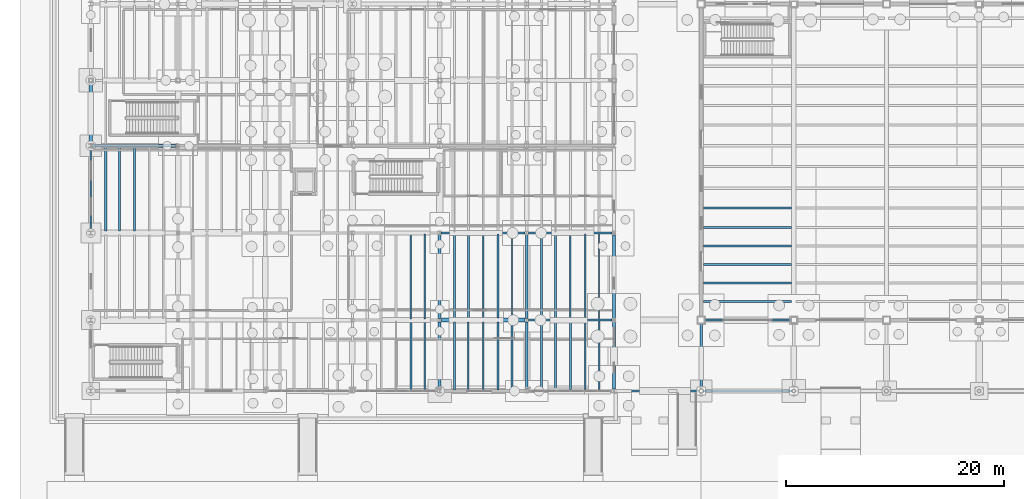
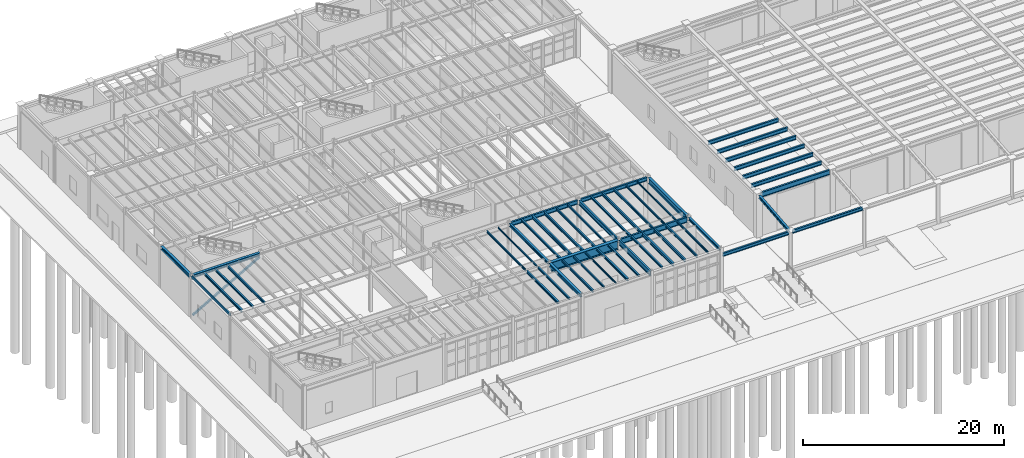
# One storey, part 25 of 86: 50 beams, 1 member.
"""IFC4 building model written with IfcOpenShell, lengths in metres."""

from ifc_helpers import new_model, si_unit, direction, frame, origin, origin_2d, place, context, subcontext, project, spatial, hollow_rectangle, i_section, extrude, material, material_profile, profile_set, type_object, element, save


model = new_model("IFC4")

# Units and contexts
model_context = context("Model", 3, precision=1e-05, world=origin(), true_north=direction((0.0, 1.0)))
body_context = subcontext(model_context, "Body", "Model", "MODEL_VIEW")
ifc_project = project(units=[si_unit("LENGTHUNIT", "METRE"), si_unit("AREAUNIT", "SQUARE_METRE"), si_unit("VOLUMEUNIT", "CUBIC_METRE"), si_unit("PLANEANGLEUNIT", "RADIAN"), si_unit("MASSUNIT", "GRAM", prefix="KILO"), si_unit("THERMODYNAMICTEMPERATUREUNIT", "KELVIN"), si_unit("POWERUNIT", "WATT")], contexts=[model_context])

# Site, building, storey
site_placement = place(None, origin())
site = spatial("IfcSite", under=ifc_project, at=site_placement, CompositionType="ELEMENT")
building_placement = place(site_placement, origin())
building = spatial("IfcBuilding", under=site, at=building_placement, Name="Zhenchuan Central Fire Station", CompositionType="ELEMENT")
storey_placement = place(building_placement, frame((0.0, 0.0, 0.449951171875)))
storey = spatial("IfcBuildingStorey", under=building, at=storey_placement, Name="L01", CompositionType="ELEMENT", Elevation=0.449951171875)

# Beams
ifc_material = material(Name="Steel Q355B", Category="steel")
ifc_material_profile_1 = material_profile(ifc_material, i_section(OverallWidth=0.25, OverallDepth=0.340087890625, WebThickness=0.009033203125, FlangeThickness=0.013916015625, FilletRadius=0.01806640625, at=origin_2d()), Name="HM 340x250")
ifc_profile_set_1 = profile_set([ifc_material_profile_1], Name="Steel Q355B")
beam_type_1 = type_object("IfcBeamType", Name="BM-HM340", PredefinedType="BEAM", material=ifc_profile_set_1)
beam_1_placement = place(storey_placement, frame((32.0, 6.64990234375, 5.030029296875), z_axis=(0.0, 1.0, 0.0), x_axis=(-1.0, 0.0, 0.0)))
element("IfcBeam", 1, at=beam_1_placement, inside=storey, type_object=beam_type_1, Name="L02 Girder NS 0130", PredefinedType="BEAM", context=body_context, shape_type="SweptSolid", body=[
    extrude(i_section(OverallWidth=0.25, OverallDepth=0.340087890625, WebThickness=0.009033203125, FlangeThickness=0.013916015625, FilletRadius=0.01806640625, at=origin_2d()), origin(), (0.0, 0.0, 1.0), 7.7001953125),
])
beam_2_placement = place(storey_placement, frame((48.0, 0.175048828125, 5.030029296875), z_axis=(0.0, 1.0, 0.0), x_axis=(-1.0, 0.0, 0.0)))
element("IfcBeam", 2, at=beam_2_placement, inside=storey, type_object=beam_type_1, Name="L02 Girder NS 0141", PredefinedType="BEAM", context=body_context, shape_type="SweptSolid", body=[
    extrude(i_section(OverallWidth=0.25, OverallDepth=0.340087890625, WebThickness=0.009033203125, FlangeThickness=0.013916015625, FilletRadius=0.01806640625, at=origin_2d()), origin(), (0.0, 0.0, 1.0), 6.14990234375),
])
ifc_material_profile_2 = material_profile(ifc_material, i_section(OverallWidth=0.25, OverallDepth=0.340087890625, WebThickness=0.009033203125, FlangeThickness=0.013916015625, FilletRadius=0.01806640625, at=origin_2d()), Name="HM 340x250")
ifc_profile_set_2 = profile_set([ifc_material_profile_2], Name="Steel Q355B")
beam_type_2 = type_object("IfcBeamType", Name="BM-HM340-EXT", PredefinedType="BEAM", material=ifc_profile_set_2)
beam_3_placement = place(storey_placement, frame((56.0, 0.203125, 4.41015625), z_axis=(0.0, 0.995157696246, 0.098291197994), x_axis=(-1.0, 0.0, 0.0)))
element("IfcBeam", 3, at=beam_3_placement, inside=storey, type_object=beam_type_2, Name="Canopy Sloped Rafter 0530", PredefinedType="BEAM", context=body_context, shape_type="SweptSolid", body=[
    extrude(i_section(OverallWidth=0.25, OverallDepth=0.340087890625, WebThickness=0.009033203125, FlangeThickness=0.013916015625, FilletRadius=0.01806640625, at=origin_2d()), origin(), (0.0, 0.0, 1.0), 6.0009765625),
])
ifc_material_profile_3 = material_profile(ifc_material, i_section(OverallWidth=0.300048828125, OverallDepth=0.389892578125, WebThickness=0.010009765625, FlangeThickness=0.01611328125, FilletRadius=0.02001953125, at=origin_2d()), Name="HM 390x300")
ifc_profile_set_3 = profile_set([ifc_material_profile_3], Name="Steel Q355B")
beam_type_3 = type_object("IfcBeamType", Name="BM-HM390", PredefinedType="BEAM", material=ifc_profile_set_3)
beam_4_placement = place(storey_placement, frame((0.0, 22.675048828125, 4.965087890625), z_axis=(0.0, 1.0, 0.0), x_axis=(-1.0, 0.0, 0.0)))
element("IfcBeam", 4, at=beam_4_placement, inside=storey, type_object=beam_type_3, Name="L02 Girder NS 0107", PredefinedType="BEAM", context=body_context, shape_type="SweptSolid", body=[
    extrude(i_section(OverallWidth=0.300048828125, OverallDepth=0.389892578125, WebThickness=0.010009765625, FlangeThickness=0.01611328125, FilletRadius=0.02001953125, at=origin_2d()), origin(), (0.0, 0.0, 1.0), 5.675048828125),
])
ifc_material_profile_4 = material_profile(ifc_material, i_section(OverallWidth=0.300048828125, OverallDepth=0.389892578125, WebThickness=0.010009765625, FlangeThickness=0.01611328125, FilletRadius=0.02001953125, at=origin_2d()), Name="HM 390x300")
ifc_profile_set_4 = profile_set([ifc_material_profile_4], Name="Steel Q355B")
beam_type_4 = type_object("IfcBeamType", Name="BM-HM390-INT", PredefinedType="BEAM", material=ifc_profile_set_4)
beam_5_placement = place(storey_placement, frame((0.175048828125, 22.5, 4.965087890625), z_axis=(1.0, 0.0, 0.0), x_axis=(0.0, 1.0, 0.0)))
element("IfcBeam", 5, at=beam_5_placement, inside=storey, type_object=beam_type_4, Name="L02 Girder EW 0036", PredefinedType="BEAM", context=body_context, shape_type="SweptSolid", body=[
    extrude(i_section(OverallWidth=0.300048828125, OverallDepth=0.389892578125, WebThickness=0.010009765625, FlangeThickness=0.01611328125, FilletRadius=0.02001953125, at=origin_2d()), origin(), (0.0, 0.0, 1.0), 7.675048828125),
])
beam_6_placement = place(storey_placement, frame((32.0, 0.14990234375, 5.005126953125), z_axis=(0.0, 1.0, 0.0), x_axis=(-1.0, 0.0, 0.0)))
element("IfcBeam", 6, at=beam_6_placement, inside=storey, type_object=beam_type_4, Name="L02 Girder NS 0129", PredefinedType="BEAM", context=body_context, shape_type="SweptSolid", body=[
    extrude(i_section(OverallWidth=0.300048828125, OverallDepth=0.389892578125, WebThickness=0.010009765625, FlangeThickness=0.01611328125, FilletRadius=0.02001953125, at=origin_2d()), origin(), (0.0, 0.0, 1.0), 6.2001953125),
])
ifc_material_profile_5 = material_profile(ifc_material, i_section(OverallWidth=0.199951171875, OverallDepth=0.449951171875, WebThickness=0.009033203125, FlangeThickness=0.013916015625, FilletRadius=0.01806640625, at=origin_2d()), Name="HN 450x200")
ifc_profile_set_5 = profile_set([ifc_material_profile_5], Name="Steel Q355B")
beam_type_5 = type_object("IfcBeamType", Name="BM-HN450", PredefinedType="BEAM", material=ifc_profile_set_5)
beam_7_placement = place(storey_placement, frame((40.14990234375, 14.5, 4.97509765625), z_axis=(1.0, 0.0, 0.0), x_axis=(0.0, 1.0, 0.0)))
element("IfcBeam", 7, at=beam_7_placement, inside=storey, type_object=beam_type_5, Name="L02 Girder EW 0033", PredefinedType="BEAM", context=body_context, shape_type="SweptSolid", body=[
    extrude(i_section(OverallWidth=0.199951171875, OverallDepth=0.449951171875, WebThickness=0.009033203125, FlangeThickness=0.013916015625, FilletRadius=0.01806640625, at=origin_2d()), origin(), (0.0, 0.0, 1.0), 7.675048828125),
])
for number, where, z_axis, x_axis, name in (
    (8, (56.197021484375, 8.199951171875, 4.97509765625), (1.0, 0.0, 0.0), (0.0, 1.0, 0.0), "Appliance Hall Secondary Floor Joist 0831"),
    (9, (56.197021484375, 9.89990234375, 4.97509765625), (1.0, 0.0, 0.0), (0.0, 1.0, 0.0), "Appliance Hall Secondary Floor Joist 0832"),
    (10, (56.197021484375, 11.60009765625, 4.97509765625), (1.0, 0.0, 0.0), (0.0, 1.0, 0.0), "Appliance Hall Secondary Floor Joist 0833"),
    (11, (56.197021484375, 13.300048828125, 4.97509765625), (1.0, 0.0, 0.0), (0.0, 1.0, 0.0), "Appliance Hall Secondary Floor Joist 0834"),
    (12, (56.197021484375, 15.0, 4.97509765625), (1.0, 0.0, 0.0), (0.0, 1.0, 0.0), "Appliance Hall Secondary Floor Joist 0835"),
    (13, (56.197021484375, 16.800048828125, 4.97509765625), (1.0, 0.0, 0.0), (0.0, 1.0, 0.0), "Appliance Hall Secondary Floor Joist 0836"),
):
    element("IfcBeam", number, at=place(storey_placement, frame(where, z_axis=z_axis, x_axis=x_axis)), inside=storey, type_object=beam_type_5, Name=name, PredefinedType="BEAM", context=body_context, shape_type="SweptSolid", body=[
        extrude(i_section(OverallWidth=0.199951171875, OverallDepth=0.449951171875, WebThickness=0.009033203125, FlangeThickness=0.013916015625, FilletRadius=0.01806640625, at=origin_2d()), origin(), (0.0, 0.0, 1.0), 8.10595703125),
    ])
ifc_material_profile_6 = material_profile(ifc_material, i_section(OverallWidth=0.199951171875, OverallDepth=0.5, WebThickness=0.010009765625, FlangeThickness=0.01611328125, FilletRadius=0.02001953125, at=origin_2d()), Name="HN 500x200")
ifc_profile_set_6 = profile_set([ifc_material_profile_6], Name="Steel Q355B")
beam_type_6 = type_object("IfcBeamType", Name="BM-HN500-INT", PredefinedType="BEAM", material=ifc_profile_set_6)
beam_8_placement = place(storey_placement, frame((32.14990234375, 14.5, 4.949951171875), z_axis=(1.0, 0.0, 0.0), x_axis=(0.0, 1.0, 0.0)))
element("IfcBeam", 14, at=beam_8_placement, inside=storey, type_object=beam_type_6, Name="L02 Girder EW 0032", PredefinedType="BEAM", context=body_context, shape_type="SweptSolid", body=[
    extrude(i_section(OverallWidth=0.199951171875, OverallDepth=0.5, WebThickness=0.010009765625, FlangeThickness=0.01611328125, FilletRadius=0.02001953125, at=origin_2d()), origin(), (0.0, 0.0, 1.0), 7.7001953125),
])
ifc_material_profile_7 = material_profile(ifc_material, i_section(OverallWidth=0.199951171875, OverallDepth=0.550048828125, WebThickness=0.010009765625, FlangeThickness=0.01611328125, FilletRadius=0.02001953125, at=origin_2d()), Name="HN 550x200")
ifc_profile_set_7 = profile_set([ifc_material_profile_7], Name="Steel Q355B")
beam_type_7 = type_object("IfcBeamType", Name="BM-HN550-INT", PredefinedType="BEAM", material=ifc_profile_set_7)
beam_9_placement = place(storey_placement, frame((40.0, 6.64990234375, 4.925048828125), z_axis=(0.0, 1.0, 0.0), x_axis=(-1.0, 0.0, 0.0)))
element("IfcBeam", 15, at=beam_9_placement, inside=storey, type_object=beam_type_7, Name="L02 Girder NS 0135", PredefinedType="BEAM", context=body_context, shape_type="SweptSolid", body=[
    extrude(i_section(OverallWidth=0.199951171875, OverallDepth=0.550048828125, WebThickness=0.010009765625, FlangeThickness=0.01611328125, FilletRadius=0.02001953125, at=origin_2d()), origin(), (0.0, 0.0, 1.0), 7.7001953125),
])
ifc_material_profile_8 = material_profile(ifc_material, i_section(OverallWidth=0.199951171875, OverallDepth=0.60009765625, WebThickness=0.010986328125, FlangeThickness=0.01708984375, FilletRadius=0.02197265625, at=origin_2d()), Name="HN 600x200")
ifc_profile_set_8 = profile_set([ifc_material_profile_8], Name="Steel Q355B")
beam_type_8 = type_object("IfcBeamType", Name="BM-HN600-INT", PredefinedType="BEAM", material=ifc_profile_set_8)
beam_10_placement = place(storey_placement, frame((56.324951171875, 6.5, 4.900146484375), z_axis=(1.0, 0.0, 0.0), x_axis=(0.0, 1.0, 0.0)))
element("IfcBeam", 16, at=beam_10_placement, inside=storey, type_object=beam_type_8, Name="L02 Girder EW 0016", PredefinedType="BEAM", context=body_context, shape_type="SweptSolid", body=[
    extrude(i_section(OverallWidth=0.199951171875, OverallDepth=0.60009765625, WebThickness=0.010986328125, FlangeThickness=0.01708984375, FilletRadius=0.02197265625, at=origin_2d()), origin(), (0.0, 0.0, 1.0), 7.900146484375),
])
beam_11_placement = place(storey_placement, frame((40.0, 0.14990234375, 4.900146484375), z_axis=(0.0, 1.0, 0.0), x_axis=(-1.0, 0.0, 0.0)))
element("IfcBeam", 17, at=beam_11_placement, inside=storey, type_object=beam_type_8, Name="L02 Girder NS 0134", PredefinedType="BEAM", context=body_context, shape_type="SweptSolid", body=[
    extrude(i_section(OverallWidth=0.199951171875, OverallDepth=0.60009765625, WebThickness=0.010986328125, FlangeThickness=0.01708984375, FilletRadius=0.02197265625, at=origin_2d()), origin(), (0.0, 0.0, 1.0), 6.2001953125),
])
ifc_material_profile_9 = material_profile(ifc_material, i_section(OverallWidth=0.199951171875, OverallDepth=0.64990234375, WebThickness=0.011962890625, FlangeThickness=0.02001953125, FilletRadius=0.02197265625, at=origin_2d()), Name="HN 650x200")
ifc_profile_set_9 = profile_set([ifc_material_profile_9], Name="Steel Q355B")
beam_type_9 = type_object("IfcBeamType", Name="BM-HN650", PredefinedType="BEAM", material=ifc_profile_set_9)
beam_12_placement = place(storey_placement, frame((40.14990234375, 6.5, 4.875), z_axis=(1.0, 0.0, 0.0), x_axis=(0.0, 1.0, 0.0)))
element("IfcBeam", 18, at=beam_12_placement, inside=storey, type_object=beam_type_9, Name="L02 Girder EW 0015", PredefinedType="BEAM", context=body_context, shape_type="SweptSolid", body=[
    extrude(i_section(OverallWidth=0.199951171875, OverallDepth=0.64990234375, WebThickness=0.011962890625, FlangeThickness=0.02001953125, FilletRadius=0.02197265625, at=origin_2d()), origin(), (0.0, 0.0, 1.0), 7.675048828125),
])
ifc_material_profile_10 = material_profile(ifc_material, i_section(OverallWidth=0.300048828125, OverallDepth=0.699951171875, WebThickness=0.012939453125, FlangeThickness=0.02392578125, FilletRadius=0.02392578125, at=origin_2d()), Name="HN 700x300")
ifc_profile_set_10 = profile_set([ifc_material_profile_10], Name="Steel Q355B")
beam_type_10 = type_object("IfcBeamType", Name="BM-HN700", PredefinedType="BEAM", material=ifc_profile_set_10)
beam_13_placement = place(storey_placement, frame((48.0, 6.675048828125, 4.85009765625), z_axis=(0.0, 1.0, 0.0), x_axis=(-1.0, 0.0, 0.0)))
element("IfcBeam", 19, at=beam_13_placement, inside=storey, type_object=beam_type_10, Name="L02 Girder NS 0142", PredefinedType="BEAM", context=body_context, shape_type="SweptSolid", body=[
    extrude(i_section(OverallWidth=0.300048828125, OverallDepth=0.699951171875, WebThickness=0.012939453125, FlangeThickness=0.02392578125, FilletRadius=0.02392578125, at=origin_2d()), origin(), (0.0, 0.0, 1.0), 7.64990234375),
])
ifc_material_profile_11 = material_profile(ifc_material, i_section(OverallWidth=0.3798828125, OverallDepth=1.10009765625, WebThickness=0.02001953125, FlangeThickness=0.035888671875, FilletRadius=0.02392578125, at=origin_2d()), Name="PG 1100x380")
ifc_profile_set_11 = profile_set([ifc_material_profile_11], Name="Steel Q355B")
beam_type_11 = type_object("IfcBeamType", Name="BM-PG1100", PredefinedType="BEAM", material=ifc_profile_set_11)
beam_14_placement = place(storey_placement, frame((32.14990234375, 6.5, 4.650146484375), z_axis=(1.0, 0.0, 0.0), x_axis=(0.0, 1.0, 0.0)))
element("IfcBeam", 20, at=beam_14_placement, inside=storey, type_object=beam_type_11, Name="L02 Girder EW 0014", PredefinedType="BEAM", context=body_context, shape_type="SweptSolid", body=[
    extrude(i_section(OverallWidth=0.3798828125, OverallDepth=1.10009765625, WebThickness=0.02001953125, FlangeThickness=0.035888671875, FilletRadius=0.02392578125, at=origin_2d()), origin(), (0.0, 0.0, 1.0), 7.7001953125),
])
ifc_material_profile_12 = material_profile(ifc_material, i_section(OverallWidth=0.175048828125, OverallDepth=0.243896484375, WebThickness=0.007080078125, FlangeThickness=0.010986328125, FilletRadius=0.012939453125, at=origin_2d()), Name="HM 244x175")
ifc_profile_set_12 = profile_set([ifc_material_profile_12], Name="Steel Q355B")
beam_type_12 = type_object("IfcBeamType", Name="JS-HM244", PredefinedType="JOIST", material=ifc_profile_set_12)
beam_15_placement = place(storey_placement, frame((30.639892578125, 0.096923828125, 5.078125), z_axis=(0.0, 1.0, 0.0), x_axis=(-1.0, 0.0, 0.0)))
element("IfcBeam", 21, at=beam_15_placement, inside=storey, type_object=beam_type_12, Name="L02 Secondary Joist 0015", PredefinedType="JOIST", context=body_context, shape_type="SweptSolid", body=[
    extrude(i_section(OverallWidth=0.175048828125, OverallDepth=0.243896484375, WebThickness=0.007080078125, FlangeThickness=0.010986328125, FilletRadius=0.012939453125, at=origin_2d()), origin(), (0.0, 0.0, 1.0), 6.30615234375),
])
beam_16_placement = place(storey_placement, frame((38.639892578125, 0.096923828125, 5.078125), z_axis=(0.0, 1.0, 0.0), x_axis=(-1.0, 0.0, 0.0)))
element("IfcBeam", 22, at=beam_16_placement, inside=storey, type_object=beam_type_12, Name="L02 Secondary Joist 0020", PredefinedType="JOIST", context=body_context, shape_type="SweptSolid", body=[
    extrude(i_section(OverallWidth=0.175048828125, OverallDepth=0.243896484375, WebThickness=0.007080078125, FlangeThickness=0.010986328125, FilletRadius=0.012939453125, at=origin_2d()), origin(), (0.0, 0.0, 1.0), 6.216064453125),
])
beam_17_placement = place(storey_placement, frame((41.360107421875, 0.14697265625, 5.078125), z_axis=(0.0, 1.0, 0.0), x_axis=(-1.0, 0.0, 0.0)))
element("IfcBeam", 23, at=beam_17_placement, inside=storey, type_object=beam_type_12, Name="L02 Secondary Joist 0021", PredefinedType="JOIST", context=body_context, shape_type="SweptSolid", body=[
    extrude(i_section(OverallWidth=0.175048828125, OverallDepth=0.243896484375, WebThickness=0.007080078125, FlangeThickness=0.010986328125, FilletRadius=0.012939453125, at=origin_2d()), origin(), (0.0, 0.0, 1.0), 6.256103515625),
])
beam_18_placement = place(storey_placement, frame((33.360107421875, 6.68701171875, 5.078125), z_axis=(0.0, 1.0, 0.0), x_axis=(-1.0, 0.0, 0.0)))
element("IfcBeam", 24, at=beam_18_placement, inside=storey, type_object=beam_type_12, Name="L02 Secondary Joist 0049", PredefinedType="JOIST", context=body_context, shape_type="SweptSolid", body=[
    extrude(i_section(OverallWidth=0.175048828125, OverallDepth=0.243896484375, WebThickness=0.007080078125, FlangeThickness=0.010986328125, FilletRadius=0.012939453125, at=origin_2d()), origin(), (0.0, 0.0, 1.0), 7.716064453125),
])
beam_19_placement = place(storey_placement, frame((41.360107421875, 6.596923828125, 5.078125), z_axis=(0.0, 1.0, 0.0), x_axis=(-1.0, 0.0, 0.0)))
element("IfcBeam", 25, at=beam_19_placement, inside=storey, type_object=beam_type_12, Name="L02 Secondary Joist 0054", PredefinedType="JOIST", context=body_context, shape_type="SweptSolid", body=[
    extrude(i_section(OverallWidth=0.175048828125, OverallDepth=0.243896484375, WebThickness=0.007080078125, FlangeThickness=0.010986328125, FilletRadius=0.012939453125, at=origin_2d()), origin(), (0.0, 0.0, 1.0), 7.80615234375),
])
beam_20_placement = place(storey_placement, frame((2.639892578125, 14.68701171875, 5.0380859375), z_axis=(0.0, 1.0, 0.0), x_axis=(-1.0, 0.0, 0.0)))
element("IfcBeam", 26, at=beam_20_placement, inside=storey, type_object=beam_type_12, Name="L02 Secondary Joist 0070", PredefinedType="JOIST", context=body_context, shape_type="SweptSolid", body=[
    extrude(i_section(OverallWidth=0.175048828125, OverallDepth=0.243896484375, WebThickness=0.007080078125, FlangeThickness=0.010986328125, FilletRadius=0.012939453125, at=origin_2d()), origin(), (0.0, 0.0, 1.0), 7.666015625),
])
ifc_material_profile_13 = material_profile(ifc_material, i_section(OverallWidth=0.199951171875, OverallDepth=0.2939453125, WebThickness=0.008056640625, FlangeThickness=0.011962890625, FilletRadius=0.01611328125, at=origin_2d()), Name="HM 294x200")
ifc_profile_set_13 = profile_set([ifc_material_profile_13], Name="Steel Q355B")
beam_type_13 = type_object("IfcBeamType", Name="JS-HM294", PredefinedType="JOIST", material=ifc_profile_set_13)
beam_21_placement = place(storey_placement, frame((29.360107421875, 0.096923828125, 5.052978515625), z_axis=(0.0, 1.0, 0.0), x_axis=(-1.0, 0.0, 0.0)))
element("IfcBeam", 27, at=beam_21_placement, inside=storey, type_object=beam_type_13, Name="L02 Secondary Joist 0014", PredefinedType="JOIST", context=body_context, shape_type="SweptSolid", body=[
    extrude(i_section(OverallWidth=0.199951171875, OverallDepth=0.2939453125, WebThickness=0.008056640625, FlangeThickness=0.011962890625, FilletRadius=0.01611328125, at=origin_2d()), origin(), (0.0, 0.0, 1.0), 6.30615234375),
])
beam_22_placement = place(storey_placement, frame((37.360107421875, 0.096923828125, 5.052978515625), z_axis=(0.0, 1.0, 0.0), x_axis=(-1.0, 0.0, 0.0)))
element("IfcBeam", 28, at=beam_22_placement, inside=storey, type_object=beam_type_13, Name="L02 Secondary Joist 0019", PredefinedType="JOIST", context=body_context, shape_type="SweptSolid", body=[
    extrude(i_section(OverallWidth=0.199951171875, OverallDepth=0.2939453125, WebThickness=0.008056640625, FlangeThickness=0.011962890625, FilletRadius=0.01611328125, at=origin_2d()), origin(), (0.0, 0.0, 1.0), 6.216064453125),
])
beam_23_placement = place(storey_placement, frame((1.360107421875, 14.68701171875, 5.012939453125), z_axis=(0.0, 1.0, 0.0), x_axis=(-1.0, 0.0, 0.0)))
element("IfcBeam", 29, at=beam_23_placement, inside=storey, type_object=beam_type_13, Name="L02 Secondary Joist 0069", PredefinedType="JOIST", context=body_context, shape_type="SweptSolid", body=[
    extrude(i_section(OverallWidth=0.199951171875, OverallDepth=0.2939453125, WebThickness=0.008056640625, FlangeThickness=0.011962890625, FilletRadius=0.01611328125, at=origin_2d()), origin(), (0.0, 0.0, 1.0), 7.666015625),
])
ifc_material_profile_14 = material_profile(ifc_material, i_section(OverallWidth=0.10009765625, OverallDepth=0.199951171875, WebThickness=0.005615234375, FlangeThickness=0.008056640625, FilletRadius=0.010986328125, at=origin_2d()), Name="HN 200x100")
ifc_profile_set_14 = profile_set([ifc_material_profile_14], Name="Steel Q355B")
beam_type_14 = type_object("IfcBeamType", Name="JS-HN200", PredefinedType="JOIST", material=ifc_profile_set_14)
beam_24_placement = place(storey_placement, frame((36.0, 0.096923828125, 5.10009765625), z_axis=(0.0, 1.0, 0.0), x_axis=(-1.0, 0.0, 0.0)))
element("IfcBeam", 30, at=beam_24_placement, inside=storey, type_object=beam_type_14, Name="L02 Secondary Joist 0018", PredefinedType="JOIST", context=body_context, shape_type="SweptSolid", body=[
    extrude(i_section(OverallWidth=0.10009765625, OverallDepth=0.199951171875, WebThickness=0.005615234375, FlangeThickness=0.008056640625, FilletRadius=0.010986328125, at=origin_2d()), origin(), (0.0, 0.0, 1.0), 6.216064453125),
])
for number, where, z_axis, x_axis, name in (
    (31, (30.639892578125, 6.596923828125, 5.10009765625), (0.0, 1.0, 0.0), (-1.0, 0.0, 0.0), "L02 Secondary Joist 0048"),
    (32, (46.639892578125, 6.596923828125, 5.10009765625), (0.0, 1.0, 0.0), (-1.0, 0.0, 0.0), "L02 Secondary Joist 0058"),
):
    element("IfcBeam", number, at=place(storey_placement, frame(where, z_axis=z_axis, x_axis=x_axis)), inside=storey, type_object=beam_type_14, Name=name, PredefinedType="JOIST", context=body_context, shape_type="SweptSolid", body=[
        extrude(i_section(OverallWidth=0.10009765625, OverallDepth=0.199951171875, WebThickness=0.005615234375, FlangeThickness=0.008056640625, FilletRadius=0.010986328125, at=origin_2d()), origin(), (0.0, 0.0, 1.0), 7.80615234375),
    ])
ifc_material_profile_15 = material_profile(ifc_material, i_section(OverallWidth=0.125, OverallDepth=0.25, WebThickness=0.006103515625, FlangeThickness=0.009033203125, FilletRadius=0.011962890625, at=origin_2d()), Name="HN 250x125")
ifc_profile_set_15 = profile_set([ifc_material_profile_15], Name="Steel Q355B")
beam_type_15 = type_object("IfcBeamType", Name="JS-HN250", PredefinedType="JOIST", material=ifc_profile_set_15)
beam_25_placement = place(storey_placement, frame((34.639892578125, 0.096923828125, 5.074951171875), z_axis=(0.0, 1.0, 0.0), x_axis=(-1.0, 0.0, 0.0)))
element("IfcBeam", 33, at=beam_25_placement, inside=storey, type_object=beam_type_15, Name="L02 Secondary Joist 0017", PredefinedType="JOIST", context=body_context, shape_type="SweptSolid", body=[
    extrude(i_section(OverallWidth=0.125, OverallDepth=0.25, WebThickness=0.006103515625, FlangeThickness=0.009033203125, FilletRadius=0.011962890625, at=origin_2d()), origin(), (0.0, 0.0, 1.0), 6.216064453125),
])
beam_26_placement = place(storey_placement, frame((46.639892578125, 0.14697265625, 5.074951171875), z_axis=(0.0, 1.0, 0.0), x_axis=(-1.0, 0.0, 0.0)))
element("IfcBeam", 34, at=beam_26_placement, inside=storey, type_object=beam_type_15, Name="L02 Secondary Joist 0025", PredefinedType="JOIST", context=body_context, shape_type="SweptSolid", body=[
    extrude(i_section(OverallWidth=0.125, OverallDepth=0.25, WebThickness=0.006103515625, FlangeThickness=0.009033203125, FilletRadius=0.011962890625, at=origin_2d()), origin(), (0.0, 0.0, 1.0), 6.256103515625),
])
beam_27_placement = place(storey_placement, frame((29.360107421875, 6.596923828125, 5.074951171875), z_axis=(0.0, 1.0, 0.0), x_axis=(-1.0, 0.0, 0.0)))
element("IfcBeam", 35, at=beam_27_placement, inside=storey, type_object=beam_type_15, Name="L02 Secondary Joist 0047", PredefinedType="JOIST", context=body_context, shape_type="SweptSolid", body=[
    extrude(i_section(OverallWidth=0.125, OverallDepth=0.25, WebThickness=0.006103515625, FlangeThickness=0.009033203125, FilletRadius=0.011962890625, at=origin_2d()), origin(), (0.0, 0.0, 1.0), 7.80615234375),
])
beam_28_placement = place(storey_placement, frame((38.639892578125, 6.68701171875, 5.074951171875), z_axis=(0.0, 1.0, 0.0), x_axis=(-1.0, 0.0, 0.0)))
element("IfcBeam", 36, at=beam_28_placement, inside=storey, type_object=beam_type_15, Name="L02 Secondary Joist 0053", PredefinedType="JOIST", context=body_context, shape_type="SweptSolid", body=[
    extrude(i_section(OverallWidth=0.125, OverallDepth=0.25, WebThickness=0.006103515625, FlangeThickness=0.009033203125, FilletRadius=0.011962890625, at=origin_2d()), origin(), (0.0, 0.0, 1.0), 7.716064453125),
])
beam_29_placement = place(storey_placement, frame((45.360107421875, 6.596923828125, 5.074951171875), z_axis=(0.0, 1.0, 0.0), x_axis=(-1.0, 0.0, 0.0)))
element("IfcBeam", 37, at=beam_29_placement, inside=storey, type_object=beam_type_15, Name="L02 Secondary Joist 0057", PredefinedType="JOIST", context=body_context, shape_type="SweptSolid", body=[
    extrude(i_section(OverallWidth=0.125, OverallDepth=0.25, WebThickness=0.006103515625, FlangeThickness=0.009033203125, FilletRadius=0.011962890625, at=origin_2d()), origin(), (0.0, 0.0, 1.0), 7.80615234375),
])
ifc_material_profile_16 = material_profile(ifc_material, i_section(OverallWidth=0.14990234375, OverallDepth=0.300048828125, WebThickness=0.006591796875, FlangeThickness=0.009033203125, FilletRadius=0.012939453125, at=origin_2d()), Name="HN 300x150")
ifc_profile_set_16 = profile_set([ifc_material_profile_16], Name="Steel Q355B")
beam_type_16 = type_object("IfcBeamType", Name="JS-HN300", PredefinedType="JOIST", material=ifc_profile_set_16)
beam_30_placement = place(storey_placement, frame((33.360107421875, 0.096923828125, 5.050048828125), z_axis=(0.0, 1.0, 0.0), x_axis=(-1.0, 0.0, 0.0)))
element("IfcBeam", 38, at=beam_30_placement, inside=storey, type_object=beam_type_16, Name="L02 Secondary Joist 0016", PredefinedType="JOIST", context=body_context, shape_type="SweptSolid", body=[
    extrude(i_section(OverallWidth=0.14990234375, OverallDepth=0.300048828125, WebThickness=0.006591796875, FlangeThickness=0.009033203125, FilletRadius=0.012939453125, at=origin_2d()), origin(), (0.0, 0.0, 1.0), 6.216064453125),
])
beam_31_placement = place(storey_placement, frame((45.360107421875, 0.14697265625, 5.050048828125), z_axis=(0.0, 1.0, 0.0), x_axis=(-1.0, 0.0, 0.0)))
element("IfcBeam", 39, at=beam_31_placement, inside=storey, type_object=beam_type_16, Name="L02 Secondary Joist 0024", PredefinedType="JOIST", context=body_context, shape_type="SweptSolid", body=[
    extrude(i_section(OverallWidth=0.14990234375, OverallDepth=0.300048828125, WebThickness=0.006591796875, FlangeThickness=0.009033203125, FilletRadius=0.012939453125, at=origin_2d()), origin(), (0.0, 0.0, 1.0), 6.256103515625),
])
beam_32_placement = place(storey_placement, frame((37.360107421875, 6.68701171875, 5.050048828125), z_axis=(0.0, 1.0, 0.0), x_axis=(-1.0, 0.0, 0.0)))
element("IfcBeam", 40, at=beam_32_placement, inside=storey, type_object=beam_type_16, Name="L02 Secondary Joist 0052", PredefinedType="JOIST", context=body_context, shape_type="SweptSolid", body=[
    extrude(i_section(OverallWidth=0.14990234375, OverallDepth=0.300048828125, WebThickness=0.006591796875, FlangeThickness=0.009033203125, FilletRadius=0.012939453125, at=origin_2d()), origin(), (0.0, 0.0, 1.0), 7.716064453125),
])
beam_33_placement = place(storey_placement, frame((44.0, 6.596923828125, 5.050048828125), z_axis=(0.0, 1.0, 0.0), x_axis=(-1.0, 0.0, 0.0)))
element("IfcBeam", 41, at=beam_33_placement, inside=storey, type_object=beam_type_16, Name="L02 Secondary Joist 0056", PredefinedType="JOIST", context=body_context, shape_type="SweptSolid", body=[
    extrude(i_section(OverallWidth=0.14990234375, OverallDepth=0.300048828125, WebThickness=0.006591796875, FlangeThickness=0.009033203125, FilletRadius=0.012939453125, at=origin_2d()), origin(), (0.0, 0.0, 1.0), 7.80615234375),
])
beam_34_placement = place(storey_placement, frame((4.0, 14.68701171875, 5.010009765625), z_axis=(0.0, 1.0, 0.0), x_axis=(-1.0, 0.0, 0.0)))
element("IfcBeam", 42, at=beam_34_placement, inside=storey, type_object=beam_type_16, Name="L02 Secondary Joist 0071", PredefinedType="JOIST", context=body_context, shape_type="SweptSolid", body=[
    extrude(i_section(OverallWidth=0.14990234375, OverallDepth=0.300048828125, WebThickness=0.006591796875, FlangeThickness=0.009033203125, FilletRadius=0.012939453125, at=origin_2d()), origin(), (0.0, 0.0, 1.0), 7.666015625),
])
ifc_material_profile_17 = material_profile(ifc_material, i_section(OverallWidth=0.175048828125, OverallDepth=0.35009765625, WebThickness=0.007080078125, FlangeThickness=0.010986328125, FilletRadius=0.013916015625, at=origin_2d()), Name="HN 350x175")
ifc_profile_set_17 = profile_set([ifc_material_profile_17], Name="Steel Q355B")
beam_type_17 = type_object("IfcBeamType", Name="JS-HN350", PredefinedType="JOIST", material=ifc_profile_set_17)
beam_35_placement = place(storey_placement, frame((44.0, 0.14697265625, 5.025146484375), z_axis=(0.0, 1.0, 0.0), x_axis=(-1.0, 0.0, 0.0)))
element("IfcBeam", 43, at=beam_35_placement, inside=storey, type_object=beam_type_17, Name="L02 Secondary Joist 0023", PredefinedType="JOIST", context=body_context, shape_type="SweptSolid", body=[
    extrude(i_section(OverallWidth=0.175048828125, OverallDepth=0.35009765625, WebThickness=0.007080078125, FlangeThickness=0.010986328125, FilletRadius=0.013916015625, at=origin_2d()), origin(), (0.0, 0.0, 1.0), 6.256103515625),
])
beam_36_placement = place(storey_placement, frame((36.0, 6.68701171875, 5.025146484375), z_axis=(0.0, 1.0, 0.0), x_axis=(-1.0, 0.0, 0.0)))
element("IfcBeam", 44, at=beam_36_placement, inside=storey, type_object=beam_type_17, Name="L02 Secondary Joist 0051", PredefinedType="JOIST", context=body_context, shape_type="SweptSolid", body=[
    extrude(i_section(OverallWidth=0.175048828125, OverallDepth=0.35009765625, WebThickness=0.007080078125, FlangeThickness=0.010986328125, FilletRadius=0.013916015625, at=origin_2d()), origin(), (0.0, 0.0, 1.0), 7.716064453125),
])
beam_37_placement = place(storey_placement, frame((42.639892578125, 6.596923828125, 5.025146484375), z_axis=(0.0, 1.0, 0.0), x_axis=(-1.0, 0.0, 0.0)))
element("IfcBeam", 45, at=beam_37_placement, inside=storey, type_object=beam_type_17, Name="L02 Secondary Joist 0055", PredefinedType="JOIST", context=body_context, shape_type="SweptSolid", body=[
    extrude(i_section(OverallWidth=0.175048828125, OverallDepth=0.35009765625, WebThickness=0.007080078125, FlangeThickness=0.010986328125, FilletRadius=0.013916015625, at=origin_2d()), origin(), (0.0, 0.0, 1.0), 7.80615234375),
])
ifc_material_profile_18 = material_profile(ifc_material, i_section(OverallWidth=0.199951171875, OverallDepth=0.39990234375, WebThickness=0.008056640625, FlangeThickness=0.012939453125, FilletRadius=0.01611328125, at=origin_2d()), Name="HN 400x200")
ifc_profile_set_18 = profile_set([ifc_material_profile_18], Name="Steel Q355B")
beam_type_18 = type_object("IfcBeamType", Name="JS-HN400", PredefinedType="JOIST", material=ifc_profile_set_18)
beam_38_placement = place(storey_placement, frame((42.639892578125, 0.14697265625, 5.0), z_axis=(0.0, 1.0, 0.0), x_axis=(-1.0, 0.0, 0.0)))
element("IfcBeam", 46, at=beam_38_placement, inside=storey, type_object=beam_type_18, Name="L02 Secondary Joist 0022", PredefinedType="JOIST", context=body_context, shape_type="SweptSolid", body=[
    extrude(i_section(OverallWidth=0.199951171875, OverallDepth=0.39990234375, WebThickness=0.008056640625, FlangeThickness=0.012939453125, FilletRadius=0.01611328125, at=origin_2d()), origin(), (0.0, 0.0, 1.0), 6.256103515625),
])
beam_39_placement = place(storey_placement, frame((34.639892578125, 6.68701171875, 5.0), z_axis=(0.0, 1.0, 0.0), x_axis=(-1.0, 0.0, 0.0)))
element("IfcBeam", 47, at=beam_39_placement, inside=storey, type_object=beam_type_18, Name="L02 Secondary Joist 0050", PredefinedType="JOIST", context=body_context, shape_type="SweptSolid", body=[
    extrude(i_section(OverallWidth=0.199951171875, OverallDepth=0.39990234375, WebThickness=0.008056640625, FlangeThickness=0.012939453125, FilletRadius=0.01611328125, at=origin_2d()), origin(), (0.0, 0.0, 1.0), 7.716064453125),
])

# Member
ifc_material_profile_19 = material_profile(ifc_material, hollow_rectangle(XDim=0.199951171875, YDim=0.199951171875, WallThickness=0.010009765625, at=origin_2d()), Name="SHS 200x200x10")
ifc_profile_set_19 = profile_set([ifc_material_profile_19], Name="Steel Q355B")
member_type = type_object("IfcMemberType", Name="MB-BR-SHS200", PredefinedType="BRACE", material=ifc_profile_set_19)
member_placement = place(storey_placement, frame((0.153076171875, 22.5, 0.199951171875), z_axis=(0.868761783631, 0.0, 0.495230212429), x_axis=(0.0, 1.0, 0.0)))
element("IfcMember", 48, at=member_placement, inside=storey, type_object=member_type, Name="Interior Frame Lateral Brace 01", PredefinedType="BRACE", context=body_context, shape_type="SweptSolid", body=[
    extrude(hollow_rectangle(XDim=0.199951171875, YDim=0.199951171875, WallThickness=0.010009765625, at=origin_2d()), origin(), (0.0, 0.0, 1.0), 8.885009765625),
])

# Beams
ifc_material_profile_20 = material_profile(ifc_material, i_section(OverallWidth=0.199951171875, OverallDepth=0.39990234375, WebThickness=0.008056640625, FlangeThickness=0.012939453125, FilletRadius=0.01611328125, at=origin_2d()), Name="HN 400x200")
ifc_profile_set_20 = profile_set([ifc_material_profile_20], Name="Steel Q355B")
beam_type_19 = type_object("IfcBeamType", Name="SP-HN400", PredefinedType="SPANDREL", material=ifc_profile_set_20)
beam_40_placement = place(storey_placement, frame((48.175048828125, 0.0, 4.39013671875), z_axis=(1.0, 0.0, 0.0), x_axis=(0.0, 1.0, 0.0)))
element("IfcBeam", 49, at=beam_40_placement, inside=storey, type_object=beam_type_19, Name="Canopy Fascia Girder 0519", PredefinedType="SPANDREL", context=body_context, shape_type="SweptSolid", body=[
    extrude(i_section(OverallWidth=0.199951171875, OverallDepth=0.39990234375, WebThickness=0.008056640625, FlangeThickness=0.012939453125, FilletRadius=0.01611328125, at=origin_2d()), origin(), (0.0, 0.0, 1.0), 7.621826171875),
])
beam_41_placement = place(storey_placement, frame((56.203125, 0.0, 4.39013671875), z_axis=(1.0, 0.0, 0.0), x_axis=(0.0, 1.0, 0.0)))
element("IfcBeam", 50, at=beam_41_placement, inside=storey, type_object=beam_type_19, Name="Canopy Fascia Girder 0520", PredefinedType="SPANDREL", context=body_context, shape_type="SweptSolid", body=[
    extrude(i_section(OverallWidth=0.199951171875, OverallDepth=0.39990234375, WebThickness=0.008056640625, FlangeThickness=0.012939453125, FilletRadius=0.01611328125, at=origin_2d()), origin(), (0.0, 0.0, 1.0), 8.135009765625),
])
ifc_material_profile_21 = material_profile(ifc_material, hollow_rectangle(XDim=0.14990234375, YDim=0.25, WallThickness=0.010009765625, at=origin_2d()), Name="RHS 250x150x10")
ifc_profile_set_21 = profile_set([ifc_material_profile_21], Name="Steel Q355B")
beam_type_20 = type_object("IfcBeamType", Name="SP-RHS250", PredefinedType="SPANDREL", material=ifc_profile_set_21)
beam_42_placement = place(storey_placement, frame((0.0, 14.675048828125, 5.03515625), z_axis=(0.0, 1.0, 0.0), x_axis=(-1.0, 0.0, 0.0)))
element("IfcBeam", 51, at=beam_42_placement, inside=storey, type_object=beam_type_20, Name="L02 Girder NS 0106", PredefinedType="SPANDREL", context=body_context, shape_type="SweptSolid", body=[
    extrude(hollow_rectangle(XDim=0.14990234375, YDim=0.25, WallThickness=0.010009765625, at=origin_2d()), origin(), (0.0, 0.0, 1.0), 7.64990234375),
])

save(model, "model.ifc")
